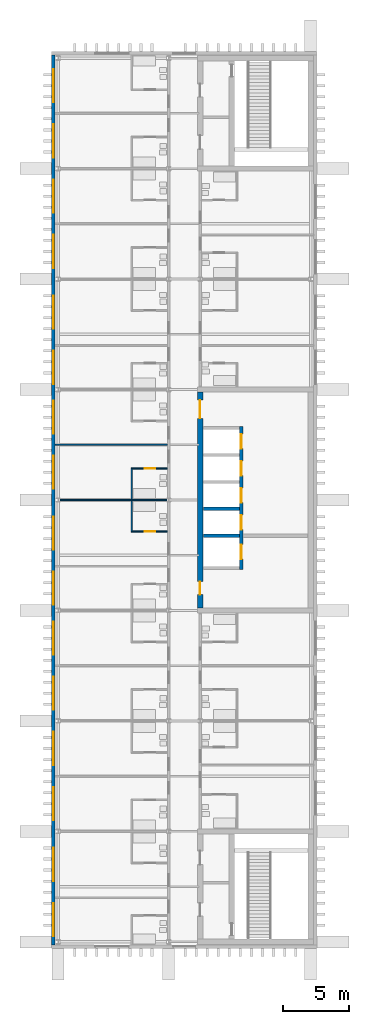
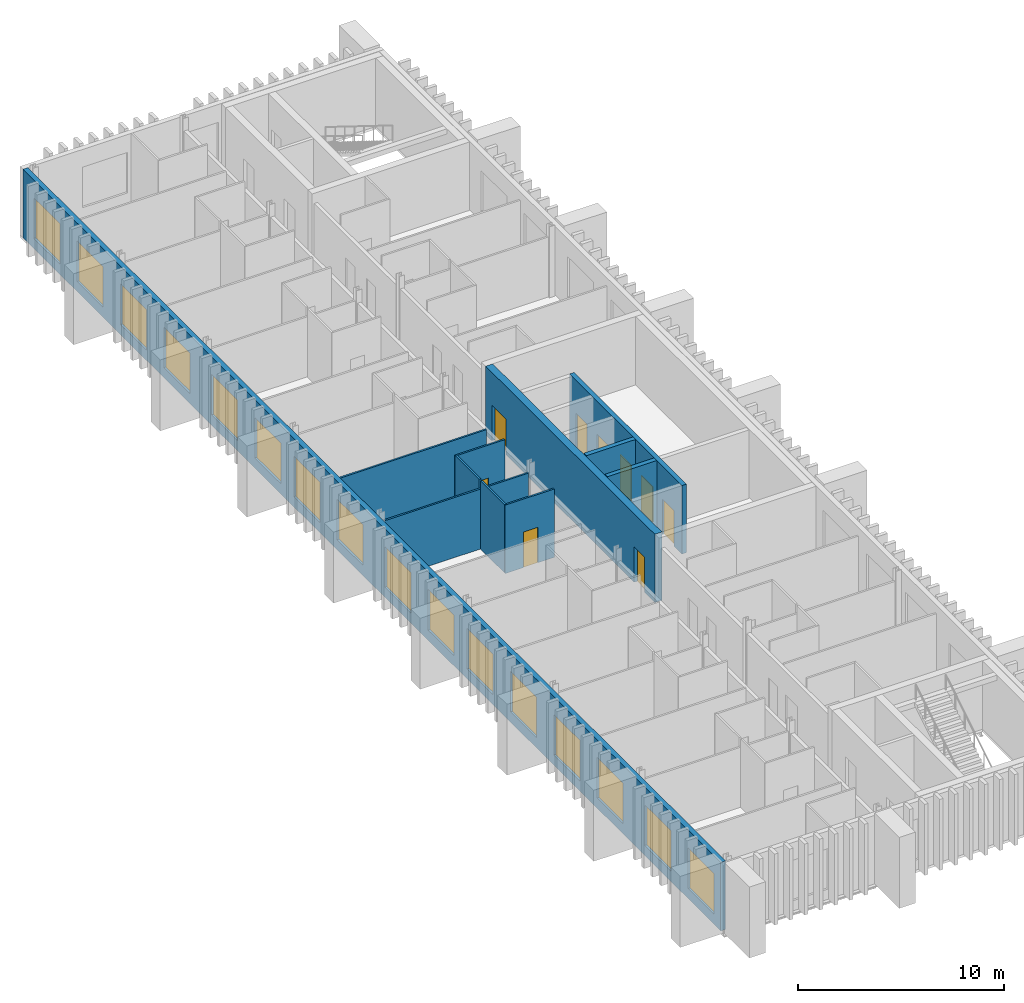
# One storey, part 6 of 11: 16 windows, 11 walls, 9 doors, 25 openings.
"""IFC4 building model written with IfcOpenShell, lengths in metres."""

from ifc_helpers import new_model, si_unit, direction, frame, frame_2d, origin, place, context, subcontext, project, spatial, rectangle, extrude, material, layer, layer_set, type_object, element, fill, save


model = new_model("IFC4")

# Units and contexts
model_context = context("Model", 3, precision=1e-05, world=origin(), true_north=direction((0.0, 1.0)))
body_context = subcontext(model_context, "Body", "Model", "MODEL_VIEW")
ifc_project = project(units=[si_unit("LENGTHUNIT", "METRE"), si_unit("AREAUNIT", "SQUARE_METRE"), si_unit("VOLUMEUNIT", "CUBIC_METRE"), si_unit("PLANEANGLEUNIT", "RADIAN"), si_unit("MASSUNIT", "GRAM", prefix="KILO")], contexts=[model_context])

# Site, building, storey
site_placement = place(None, origin())
site = spatial("IfcSite", under=ifc_project, at=site_placement, CompositionType="ELEMENT")
building_placement = place(site_placement, origin())
building = spatial("IfcBuilding", under=site, at=building_placement, Name="Cresset Court Congress Hotel", CompositionType="ELEMENT")
storey_placement = place(building_placement, frame((0.0, 0.0, 60.60009765625)))
storey = spatial("IfcBuildingStorey", under=building, at=storey_placement, Name="L14", CompositionType="ELEMENT", Elevation=60.60009765625)

# Wall
ifc_material_1 = material(Name="Gypsum board partition")
ifc_layer_1 = layer(ifc_material_1, 0.10009765625)
ifc_layer_set_1 = layer_set([ifc_layer_1], Name="En-suite wall 100")
wall_type_1 = type_object("IfcWallType", Name="En-suite wall 100", PredefinedType="PARTITIONING", material=ifc_layer_set_1)
wall_1_placement = place(storey_placement, frame((162.800048828125, 31.199951171875, 0.0), z_axis=(0.0, 0.0, 1.0), x_axis=(0.0, 1.0, 0.0)))
element("IfcWall", 1, at=wall_1_placement, inside=storey, type_object=wall_type_1, Name="A.wl.L14.015", PredefinedType="PARTITIONING", context=body_context, shape_type="SweptSolid", body=[
    extrude(rectangle(XDim=2.324951171875, YDim=0.10009765625, at=frame_2d((1.16259765625, 0.0))), origin(), (0.0, 0.0, 1.0), 4.0498046875),
])

# Wall, opening, door
wall_2_placement = place(storey_placement, frame((162.75, 31.199951171875, 0.0), z_axis=(0.0, 0.0, 1.0), x_axis=(1.0, 0.0, 0.0)))
wall_2 = element("IfcWall", 2, at=wall_2_placement, inside=storey, type_object=wall_type_1, Name="A.wl.L14.016", PredefinedType="PARTITIONING", context=body_context, shape_type="SweptSolid", body=[
    extrude(rectangle(XDim=2.75, YDim=0.10009765625, at=frame_2d((1.375, 0.0))), origin(), (0.0, 0.0, 1.0), 4.0498046875),
])
opening_1_placement = place(wall_2_placement, frame((1.030029296875, 0.0, 0.0)))
opening_1 = element("IfcOpeningElement", 3, at=opening_1_placement, cuts=wall_2, Name="Opening DA-14-15", PredefinedType="OPENING", context=body_context, shape_type="SweptSolid", body=[
    extrude(rectangle(XDim=0.800048828125, YDim=2.10009765625, at=frame_2d((0.39990234375, 1.050048828125))), frame((0.0, 0.06005859375, 0.0), z_axis=(0.0, -1.0, 0.0), x_axis=(1.0, 0.0, 0.0)), (0.0, 0.0, 1.0), 0.1201171875),
])
ifc_material_2 = material(Name="timber", Category="wood")
door_type_1 = type_object("IfcDoorType", Name="En-suite door 800x2100", OperationType="SINGLE_SWING_LEFT", PredefinedType="DOOR", material=ifc_material_2)
door_1_placement = place(opening_1_placement, origin())
door_1 = element("IfcDoor", 4, at=door_1_placement, inside=storey, type_object=door_type_1, Name="Door DA-14-15", OperationType="SINGLE_SWING_LEFT", OverallHeight=2.10009765625, OverallWidth=0.800048828125, PredefinedType="DOOR", context=body_context, shape_type="SweptSolid", body=[
    extrude(rectangle(XDim=0.800048828125, YDim=2.10009765625, at=frame_2d((0.39990234375, 1.050048828125))), frame((0.0, 0.02490234375, 0.0), z_axis=(0.0, -1.0, 0.0), x_axis=(1.0, 0.0, 0.0)), (0.0, 0.0, 1.0), 0.050048828125),
])
fill(opening_1, door_1)

# Wall
wall_3_placement = place(storey_placement, frame((162.800048828125, 33.675048828125, 0.0), z_axis=(0.0, 0.0, 1.0), x_axis=(0.0, 1.0, 0.0)))
element("IfcWall", 5, at=wall_3_placement, inside=storey, type_object=wall_type_1, Name="A.wl.L14.017", PredefinedType="PARTITIONING", context=body_context, shape_type="SweptSolid", body=[
    extrude(rectangle(XDim=2.324951171875, YDim=0.10009765625, at=frame_2d((1.16259765625, 0.0))), origin(), (0.0, 0.0, 1.0), 4.0498046875),
])

# Wall, opening, door
wall_4_placement = place(storey_placement, frame((162.75, 36.0, 0.0), z_axis=(0.0, 0.0, 1.0), x_axis=(1.0, 0.0, 0.0)))
wall_4 = element("IfcWall", 6, at=wall_4_placement, inside=storey, type_object=wall_type_1, Name="A.wl.L14.018", PredefinedType="PARTITIONING", context=body_context, shape_type="SweptSolid", body=[
    extrude(rectangle(XDim=2.75, YDim=0.10009765625, at=frame_2d((1.375, 0.0))), origin(), (0.0, 0.0, 1.0), 4.0498046875),
])
opening_2_placement = place(wall_4_placement, frame((1.030029296875, 0.0, 0.0)))
opening_2 = element("IfcOpeningElement", 7, at=opening_2_placement, cuts=wall_4, Name="Opening DA-14-17", PredefinedType="OPENING", context=body_context, shape_type="SweptSolid", body=[
    extrude(rectangle(XDim=0.800048828125, YDim=2.10009765625, at=frame_2d((0.39990234375, 1.050048828125))), frame((0.0, 0.06005859375, 0.0), z_axis=(0.0, -1.0, 0.0), x_axis=(1.0, 0.0, 0.0)), (0.0, 0.0, 1.0), 0.1201171875),
])
door_2_placement = place(opening_2_placement, origin())
door_2 = element("IfcDoor", 8, at=door_2_placement, inside=storey, type_object=door_type_1, Name="Door DA-14-17", OperationType="SINGLE_SWING_RIGHT", OverallHeight=2.10009765625, OverallWidth=0.800048828125, PredefinedType="DOOR", context=body_context, shape_type="SweptSolid", body=[
    extrude(rectangle(XDim=0.800048828125, YDim=2.10009765625, at=frame_2d((0.39990234375, 1.050048828125))), frame((0.0, 0.02490234375, 0.0), z_axis=(0.0, -1.0, 0.0), x_axis=(1.0, 0.0, 0.0)), (0.0, 0.0, 1.0), 0.050048828125),
])
fill(opening_2, door_2)

# Wall, openings, windows
ifc_material_3 = material(Name="Precast concrete C50", Category="concrete")
ifc_layer_2 = layer(ifc_material_3, 0.280029296875)
ifc_layer_set_2 = layer_set([ifc_layer_2], Name="External wall 280")
wall_type_2 = type_object("IfcWallType", Name="External wall 280", PredefinedType="SOLIDWALL", material=ifc_layer_set_2)
wall_5_placement = place(storey_placement, frame((156.840087890625, -0.219970703125, 0.0), z_axis=(0.0, 0.0, 1.0), x_axis=(0.0, 1.0, 0.0)))
wall_5 = element("IfcWall", 9, at=wall_5_placement, inside=storey, type_object=wall_type_2, Name="A.ew.L14.W.1", PredefinedType="SOLIDWALL", context=body_context, shape_type="SweptSolid", body=[
    extrude(rectangle(XDim=67.639892578125, YDim=0.280029296875, at=frame_2d((33.81982421875, 0.0))), origin(), (0.0, 0.0, 1.0), 4.0498046875),
])
opening_3_placement = place(wall_5_placement, frame((0.639892578125, 0.0, 0.60009765625)))
opening_3 = element("IfcOpeningElement", 10, at=opening_3_placement, cuts=wall_5, Name="Opening NA-14-01", PredefinedType="OPENING", context=body_context, shape_type="SweptSolid", body=[
    extrude(rectangle(XDim=2.52001953125, YDim=2.39990234375, at=frame_2d((1.260009765625, 1.199951171875))), frame((0.0, 0.14990234375, 0.0), z_axis=(0.0, -1.0, 0.0), x_axis=(1.0, 0.0, 0.0)), (0.0, 0.0, 1.0), 0.300048828125),
])
opening_4_placement = place(wall_5_placement, frame((4.840087890625, 0.0, 0.60009765625)))
opening_4 = element("IfcOpeningElement", 11, at=opening_4_placement, cuts=wall_5, Name="Opening NA-14-02", PredefinedType="OPENING", context=body_context, shape_type="SweptSolid", body=[
    extrude(rectangle(XDim=2.52001953125, YDim=2.39990234375, at=frame_2d((1.260009765625, 1.199951171875))), frame((0.0, 0.14990234375, 0.0), z_axis=(0.0, -1.0, 0.0), x_axis=(1.0, 0.0, 0.0)), (0.0, 0.0, 1.0), 0.300048828125),
])
opening_5_placement = place(wall_5_placement, frame((9.4599609375, 0.0, 0.60009765625)))
opening_5 = element("IfcOpeningElement", 12, at=opening_5_placement, cuts=wall_5, Name="Opening NA-14-03", PredefinedType="OPENING", context=body_context, shape_type="SweptSolid", body=[
    extrude(rectangle(XDim=2.52001953125, YDim=2.39990234375, at=frame_2d((1.260009765625, 1.199951171875))), frame((0.0, 0.14990234375, 0.0), z_axis=(0.0, -1.0, 0.0), x_axis=(1.0, 0.0, 0.0)), (0.0, 0.0, 1.0), 0.300048828125),
])
opening_6_placement = place(wall_5_placement, frame((13.659912109375, 0.0, 0.60009765625)))
opening_6 = element("IfcOpeningElement", 13, at=opening_6_placement, cuts=wall_5, Name="Opening NA-14-04", PredefinedType="OPENING", context=body_context, shape_type="SweptSolid", body=[
    extrude(rectangle(XDim=2.52001953125, YDim=2.39990234375, at=frame_2d((1.260009765625, 1.199951171875))), frame((0.0, 0.14990234375, 0.0), z_axis=(0.0, -1.0, 0.0), x_axis=(1.0, 0.0, 0.0)), (0.0, 0.0, 1.0), 0.300048828125),
])
opening_7_placement = place(wall_5_placement, frame((17.860107421875, 0.0, 0.60009765625)))
opening_7 = element("IfcOpeningElement", 14, at=opening_7_placement, cuts=wall_5, Name="Opening NA-14-05", PredefinedType="OPENING", context=body_context, shape_type="SweptSolid", body=[
    extrude(rectangle(XDim=2.52001953125, YDim=2.39990234375, at=frame_2d((1.260009765625, 1.199951171875))), frame((0.0, 0.14990234375, 0.0), z_axis=(0.0, -1.0, 0.0), x_axis=(1.0, 0.0, 0.0)), (0.0, 0.0, 1.0), 0.300048828125),
])
opening_8_placement = place(wall_5_placement, frame((22.06005859375, 0.0, 0.60009765625)))
opening_8 = element("IfcOpeningElement", 15, at=opening_8_placement, cuts=wall_5, Name="Opening NA-14-06", PredefinedType="OPENING", context=body_context, shape_type="SweptSolid", body=[
    extrude(rectangle(XDim=2.52001953125, YDim=2.39990234375, at=frame_2d((1.260009765625, 1.199951171875))), frame((0.0, 0.14990234375, 0.0), z_axis=(0.0, -1.0, 0.0), x_axis=(1.0, 0.0, 0.0)), (0.0, 0.0, 1.0), 0.300048828125),
])
opening_9_placement = place(wall_5_placement, frame((25.840087890625, 0.0, 0.60009765625)))
opening_9 = element("IfcOpeningElement", 16, at=opening_9_placement, cuts=wall_5, Name="Opening NA-14-07", PredefinedType="OPENING", context=body_context, shape_type="SweptSolid", body=[
    extrude(rectangle(XDim=2.52001953125, YDim=2.39990234375, at=frame_2d((1.260009765625, 1.199951171875))), frame((0.0, 0.14990234375, 0.0), z_axis=(0.0, -1.0, 0.0), x_axis=(1.0, 0.0, 0.0)), (0.0, 0.0, 1.0), 0.300048828125),
])
opening_10_placement = place(wall_5_placement, frame((30.0400390625, 0.0, 0.60009765625)))
opening_10 = element("IfcOpeningElement", 17, at=opening_10_placement, cuts=wall_5, Name="Opening NA-14-08", PredefinedType="OPENING", context=body_context, shape_type="SweptSolid", body=[
    extrude(rectangle(XDim=2.52001953125, YDim=2.39990234375, at=frame_2d((1.260009765625, 1.199951171875))), frame((0.0, 0.14990234375, 0.0), z_axis=(0.0, -1.0, 0.0), x_axis=(1.0, 0.0, 0.0)), (0.0, 0.0, 1.0), 0.300048828125),
])
opening_11_placement = place(wall_5_placement, frame((34.659912109375, 0.0, 0.60009765625)))
opening_11 = element("IfcOpeningElement", 18, at=opening_11_placement, cuts=wall_5, Name="Opening NA-14-09", PredefinedType="OPENING", context=body_context, shape_type="SweptSolid", body=[
    extrude(rectangle(XDim=2.52001953125, YDim=2.39990234375, at=frame_2d((1.260009765625, 1.199951171875))), frame((0.0, 0.14990234375, 0.0), z_axis=(0.0, -1.0, 0.0), x_axis=(1.0, 0.0, 0.0)), (0.0, 0.0, 1.0), 0.300048828125),
])
opening_12_placement = place(wall_5_placement, frame((38.860107421875, 0.0, 0.60009765625)))
opening_12 = element("IfcOpeningElement", 19, at=opening_12_placement, cuts=wall_5, Name="Opening NA-14-10", PredefinedType="OPENING", context=body_context, shape_type="SweptSolid", body=[
    extrude(rectangle(XDim=2.52001953125, YDim=2.39990234375, at=frame_2d((1.260009765625, 1.199951171875))), frame((0.0, 0.14990234375, 0.0), z_axis=(0.0, -1.0, 0.0), x_axis=(1.0, 0.0, 0.0)), (0.0, 0.0, 1.0), 0.300048828125),
])
opening_13_placement = place(wall_5_placement, frame((42.639892578125, 0.0, 0.60009765625)))
opening_13 = element("IfcOpeningElement", 20, at=opening_13_placement, cuts=wall_5, Name="Opening NA-14-11", PredefinedType="OPENING", context=body_context, shape_type="SweptSolid", body=[
    extrude(rectangle(XDim=2.52001953125, YDim=2.39990234375, at=frame_2d((1.260009765625, 1.199951171875))), frame((0.0, 0.14990234375, 0.0), z_axis=(0.0, -1.0, 0.0), x_axis=(1.0, 0.0, 0.0)), (0.0, 0.0, 1.0), 0.300048828125),
])
opening_14_placement = place(wall_5_placement, frame((46.840087890625, 0.0, 0.60009765625)))
opening_14 = element("IfcOpeningElement", 21, at=opening_14_placement, cuts=wall_5, Name="Opening NA-14-12", PredefinedType="OPENING", context=body_context, shape_type="SweptSolid", body=[
    extrude(rectangle(XDim=2.52001953125, YDim=2.39990234375, at=frame_2d((1.260009765625, 1.199951171875))), frame((0.0, 0.14990234375, 0.0), z_axis=(0.0, -1.0, 0.0), x_axis=(1.0, 0.0, 0.0)), (0.0, 0.0, 1.0), 0.300048828125),
])
opening_15_placement = place(wall_5_placement, frame((51.4599609375, 0.0, 0.60009765625)))
opening_15 = element("IfcOpeningElement", 22, at=opening_15_placement, cuts=wall_5, Name="Opening NA-14-13", PredefinedType="OPENING", context=body_context, shape_type="SweptSolid", body=[
    extrude(rectangle(XDim=2.52001953125, YDim=2.39990234375, at=frame_2d((1.260009765625, 1.199951171875))), frame((0.0, 0.14990234375, 0.0), z_axis=(0.0, -1.0, 0.0), x_axis=(1.0, 0.0, 0.0)), (0.0, 0.0, 1.0), 0.300048828125),
])
opening_16_placement = place(wall_5_placement, frame((55.659912109375, 0.0, 0.60009765625)))
opening_16 = element("IfcOpeningElement", 23, at=opening_16_placement, cuts=wall_5, Name="Opening NA-14-14", PredefinedType="OPENING", context=body_context, shape_type="SweptSolid", body=[
    extrude(rectangle(XDim=2.52001953125, YDim=2.39990234375, at=frame_2d((1.260009765625, 1.199951171875))), frame((0.0, 0.14990234375, 0.0), z_axis=(0.0, -1.0, 0.0), x_axis=(1.0, 0.0, 0.0)), (0.0, 0.0, 1.0), 0.300048828125),
])
opening_17_placement = place(wall_5_placement, frame((59.860107421875, 0.0, 0.60009765625)))
opening_17 = element("IfcOpeningElement", 24, at=opening_17_placement, cuts=wall_5, Name="Opening NA-14-15", PredefinedType="OPENING", context=body_context, shape_type="SweptSolid", body=[
    extrude(rectangle(XDim=2.52001953125, YDim=2.39990234375, at=frame_2d((1.260009765625, 1.199951171875))), frame((0.0, 0.14990234375, 0.0), z_axis=(0.0, -1.0, 0.0), x_axis=(1.0, 0.0, 0.0)), (0.0, 0.0, 1.0), 0.300048828125),
])
opening_18_placement = place(wall_5_placement, frame((64.06005859375, 0.0, 0.60009765625)))
opening_18 = element("IfcOpeningElement", 25, at=opening_18_placement, cuts=wall_5, Name="Opening NA-14-16", PredefinedType="OPENING", context=body_context, shape_type="SweptSolid", body=[
    extrude(rectangle(XDim=2.52001953125, YDim=2.39990234375, at=frame_2d((1.260009765625, 1.199951171875))), frame((0.0, 0.14990234375, 0.0), z_axis=(0.0, -1.0, 0.0), x_axis=(1.0, 0.0, 0.0)), (0.0, 0.0, 1.0), 0.300048828125),
])
ifc_material_4 = material(Name="Aluminium and glass", Category="aluminium")
window_type = type_object("IfcWindowType", Name="Window 2520x2400", PartitioningType="SINGLE_PANEL", PredefinedType="WINDOW", material=ifc_material_4)
window_1_placement = place(opening_3_placement, origin())
window_1 = element("IfcWindow", 26, at=window_1_placement, inside=storey, type_object=window_type, Name="Window NA-14-01", OverallHeight=2.39990234375, OverallWidth=2.52001953125, PartitioningType="SINGLE_PANEL", PredefinedType="WINDOW", context=body_context, shape_type="SweptSolid", body=[
    extrude(rectangle(XDim=2.52001953125, YDim=2.39990234375, at=frame_2d((1.260009765625, 1.199951171875))), frame((0.0, 0.030029296875, 0.0), z_axis=(0.0, -1.0, 0.0), x_axis=(1.0, 0.0, 0.0)), (0.0, 0.0, 1.0), 0.06005859375),
])
fill(opening_3, window_1)
window_2_placement = place(opening_4_placement, origin())
window_2 = element("IfcWindow", 27, at=window_2_placement, inside=storey, type_object=window_type, Name="Window NA-14-02", OverallHeight=2.39990234375, OverallWidth=2.52001953125, PartitioningType="SINGLE_PANEL", PredefinedType="WINDOW", context=body_context, shape_type="SweptSolid", body=[
    extrude(rectangle(XDim=2.52001953125, YDim=2.39990234375, at=frame_2d((1.260009765625, 1.199951171875))), frame((0.0, 0.030029296875, 0.0), z_axis=(0.0, -1.0, 0.0), x_axis=(1.0, 0.0, 0.0)), (0.0, 0.0, 1.0), 0.06005859375),
])
fill(opening_4, window_2)
window_3_placement = place(opening_5_placement, origin())
window_3 = element("IfcWindow", 28, at=window_3_placement, inside=storey, type_object=window_type, Name="Window NA-14-03", OverallHeight=2.39990234375, OverallWidth=2.52001953125, PartitioningType="SINGLE_PANEL", PredefinedType="WINDOW", context=body_context, shape_type="SweptSolid", body=[
    extrude(rectangle(XDim=2.52001953125, YDim=2.39990234375, at=frame_2d((1.260009765625, 1.199951171875))), frame((0.0, 0.030029296875, 0.0), z_axis=(0.0, -1.0, 0.0), x_axis=(1.0, 0.0, 0.0)), (0.0, 0.0, 1.0), 0.06005859375),
])
fill(opening_5, window_3)
window_4_placement = place(opening_6_placement, origin())
window_4 = element("IfcWindow", 29, at=window_4_placement, inside=storey, type_object=window_type, Name="Window NA-14-04", OverallHeight=2.39990234375, OverallWidth=2.52001953125, PartitioningType="SINGLE_PANEL", PredefinedType="WINDOW", context=body_context, shape_type="SweptSolid", body=[
    extrude(rectangle(XDim=2.52001953125, YDim=2.39990234375, at=frame_2d((1.260009765625, 1.199951171875))), frame((0.0, 0.030029296875, 0.0), z_axis=(0.0, -1.0, 0.0), x_axis=(1.0, 0.0, 0.0)), (0.0, 0.0, 1.0), 0.06005859375),
])
fill(opening_6, window_4)
window_5_placement = place(opening_7_placement, origin())
window_5 = element("IfcWindow", 30, at=window_5_placement, inside=storey, type_object=window_type, Name="Window NA-14-05", OverallHeight=2.39990234375, OverallWidth=2.52001953125, PartitioningType="SINGLE_PANEL", PredefinedType="WINDOW", context=body_context, shape_type="SweptSolid", body=[
    extrude(rectangle(XDim=2.52001953125, YDim=2.39990234375, at=frame_2d((1.260009765625, 1.199951171875))), frame((0.0, 0.030029296875, 0.0), z_axis=(0.0, -1.0, 0.0), x_axis=(1.0, 0.0, 0.0)), (0.0, 0.0, 1.0), 0.06005859375),
])
fill(opening_7, window_5)
window_6_placement = place(opening_8_placement, origin())
window_6 = element("IfcWindow", 31, at=window_6_placement, inside=storey, type_object=window_type, Name="Window NA-14-06", OverallHeight=2.39990234375, OverallWidth=2.52001953125, PartitioningType="SINGLE_PANEL", PredefinedType="WINDOW", context=body_context, shape_type="SweptSolid", body=[
    extrude(rectangle(XDim=2.52001953125, YDim=2.39990234375, at=frame_2d((1.260009765625, 1.199951171875))), frame((0.0, 0.030029296875, 0.0), z_axis=(0.0, -1.0, 0.0), x_axis=(1.0, 0.0, 0.0)), (0.0, 0.0, 1.0), 0.06005859375),
])
fill(opening_8, window_6)
window_7_placement = place(opening_9_placement, origin())
window_7 = element("IfcWindow", 32, at=window_7_placement, inside=storey, type_object=window_type, Name="Window NA-14-07", OverallHeight=2.39990234375, OverallWidth=2.52001953125, PartitioningType="SINGLE_PANEL", PredefinedType="WINDOW", context=body_context, shape_type="SweptSolid", body=[
    extrude(rectangle(XDim=2.52001953125, YDim=2.39990234375, at=frame_2d((1.260009765625, 1.199951171875))), frame((0.0, 0.030029296875, 0.0), z_axis=(0.0, -1.0, 0.0), x_axis=(1.0, 0.0, 0.0)), (0.0, 0.0, 1.0), 0.06005859375),
])
fill(opening_9, window_7)
window_8_placement = place(opening_10_placement, origin())
window_8 = element("IfcWindow", 33, at=window_8_placement, inside=storey, type_object=window_type, Name="Window NA-14-08", OverallHeight=2.39990234375, OverallWidth=2.52001953125, PartitioningType="SINGLE_PANEL", PredefinedType="WINDOW", context=body_context, shape_type="SweptSolid", body=[
    extrude(rectangle(XDim=2.52001953125, YDim=2.39990234375, at=frame_2d((1.260009765625, 1.199951171875))), frame((0.0, 0.030029296875, 0.0), z_axis=(0.0, -1.0, 0.0), x_axis=(1.0, 0.0, 0.0)), (0.0, 0.0, 1.0), 0.06005859375),
])
fill(opening_10, window_8)
window_9_placement = place(opening_11_placement, origin())
window_9 = element("IfcWindow", 34, at=window_9_placement, inside=storey, type_object=window_type, Name="Window NA-14-09", OverallHeight=2.39990234375, OverallWidth=2.52001953125, PartitioningType="SINGLE_PANEL", PredefinedType="WINDOW", context=body_context, shape_type="SweptSolid", body=[
    extrude(rectangle(XDim=2.52001953125, YDim=2.39990234375, at=frame_2d((1.260009765625, 1.199951171875))), frame((0.0, 0.030029296875, 0.0), z_axis=(0.0, -1.0, 0.0), x_axis=(1.0, 0.0, 0.0)), (0.0, 0.0, 1.0), 0.06005859375),
])
fill(opening_11, window_9)
window_10_placement = place(opening_12_placement, origin())
window_10 = element("IfcWindow", 35, at=window_10_placement, inside=storey, type_object=window_type, Name="Window NA-14-10", OverallHeight=2.39990234375, OverallWidth=2.52001953125, PartitioningType="SINGLE_PANEL", PredefinedType="WINDOW", context=body_context, shape_type="SweptSolid", body=[
    extrude(rectangle(XDim=2.52001953125, YDim=2.39990234375, at=frame_2d((1.260009765625, 1.199951171875))), frame((0.0, 0.030029296875, 0.0), z_axis=(0.0, -1.0, 0.0), x_axis=(1.0, 0.0, 0.0)), (0.0, 0.0, 1.0), 0.06005859375),
])
fill(opening_12, window_10)
window_11_placement = place(opening_13_placement, origin())
window_11 = element("IfcWindow", 36, at=window_11_placement, inside=storey, type_object=window_type, Name="Window NA-14-11", OverallHeight=2.39990234375, OverallWidth=2.52001953125, PartitioningType="SINGLE_PANEL", PredefinedType="WINDOW", context=body_context, shape_type="SweptSolid", body=[
    extrude(rectangle(XDim=2.52001953125, YDim=2.39990234375, at=frame_2d((1.260009765625, 1.199951171875))), frame((0.0, 0.030029296875, 0.0), z_axis=(0.0, -1.0, 0.0), x_axis=(1.0, 0.0, 0.0)), (0.0, 0.0, 1.0), 0.06005859375),
])
fill(opening_13, window_11)
window_12_placement = place(opening_14_placement, origin())
window_12 = element("IfcWindow", 37, at=window_12_placement, inside=storey, type_object=window_type, Name="Window NA-14-12", OverallHeight=2.39990234375, OverallWidth=2.52001953125, PartitioningType="SINGLE_PANEL", PredefinedType="WINDOW", context=body_context, shape_type="SweptSolid", body=[
    extrude(rectangle(XDim=2.52001953125, YDim=2.39990234375, at=frame_2d((1.260009765625, 1.199951171875))), frame((0.0, 0.030029296875, 0.0), z_axis=(0.0, -1.0, 0.0), x_axis=(1.0, 0.0, 0.0)), (0.0, 0.0, 1.0), 0.06005859375),
])
fill(opening_14, window_12)
window_13_placement = place(opening_15_placement, origin())
window_13 = element("IfcWindow", 38, at=window_13_placement, inside=storey, type_object=window_type, Name="Window NA-14-13", OverallHeight=2.39990234375, OverallWidth=2.52001953125, PartitioningType="SINGLE_PANEL", PredefinedType="WINDOW", context=body_context, shape_type="SweptSolid", body=[
    extrude(rectangle(XDim=2.52001953125, YDim=2.39990234375, at=frame_2d((1.260009765625, 1.199951171875))), frame((0.0, 0.030029296875, 0.0), z_axis=(0.0, -1.0, 0.0), x_axis=(1.0, 0.0, 0.0)), (0.0, 0.0, 1.0), 0.06005859375),
])
fill(opening_15, window_13)
window_14_placement = place(opening_16_placement, origin())
window_14 = element("IfcWindow", 39, at=window_14_placement, inside=storey, type_object=window_type, Name="Window NA-14-14", OverallHeight=2.39990234375, OverallWidth=2.52001953125, PartitioningType="SINGLE_PANEL", PredefinedType="WINDOW", context=body_context, shape_type="SweptSolid", body=[
    extrude(rectangle(XDim=2.52001953125, YDim=2.39990234375, at=frame_2d((1.260009765625, 1.199951171875))), frame((0.0, 0.030029296875, 0.0), z_axis=(0.0, -1.0, 0.0), x_axis=(1.0, 0.0, 0.0)), (0.0, 0.0, 1.0), 0.06005859375),
])
fill(opening_16, window_14)
window_15_placement = place(opening_17_placement, origin())
window_15 = element("IfcWindow", 40, at=window_15_placement, inside=storey, type_object=window_type, Name="Window NA-14-15", OverallHeight=2.39990234375, OverallWidth=2.52001953125, PartitioningType="SINGLE_PANEL", PredefinedType="WINDOW", context=body_context, shape_type="SweptSolid", body=[
    extrude(rectangle(XDim=2.52001953125, YDim=2.39990234375, at=frame_2d((1.260009765625, 1.199951171875))), frame((0.0, 0.030029296875, 0.0), z_axis=(0.0, -1.0, 0.0), x_axis=(1.0, 0.0, 0.0)), (0.0, 0.0, 1.0), 0.06005859375),
])
fill(opening_17, window_15)
window_16_placement = place(opening_18_placement, origin())
window_16 = element("IfcWindow", 41, at=window_16_placement, inside=storey, type_object=window_type, Name="Window NA-14-16", OverallHeight=2.39990234375, OverallWidth=2.52001953125, PartitioningType="SINGLE_PANEL", PredefinedType="WINDOW", context=body_context, shape_type="SweptSolid", body=[
    extrude(rectangle(XDim=2.52001953125, YDim=2.39990234375, at=frame_2d((1.260009765625, 1.199951171875))), frame((0.0, 0.030029296875, 0.0), z_axis=(0.0, -1.0, 0.0), x_axis=(1.0, 0.0, 0.0)), (0.0, 0.0, 1.0), 0.06005859375),
])
fill(opening_18, window_16)

# Walls
ifc_material_5 = material(Name="Gypsum board partition")
ifc_layer_3 = layer(ifc_material_5, 0.10009765625)
ifc_layer_set_3 = layer_set([ifc_layer_3], Name="Guest-room partition 100")
wall_type_3 = type_object("IfcWallType", Name="Guest-room partition 100", PredefinedType="PARTITIONING", material=ifc_layer_set_3)
wall_6_placement = place(storey_placement, frame((157.35009765625, 33.60009765625, 0.0), z_axis=(0.0, 0.0, 1.0), x_axis=(1.0, 0.0, 0.0)))
element("IfcWall", 42, at=wall_6_placement, inside=storey, type_object=wall_type_3, Name="A.wl.L14.052", PredefinedType="PARTITIONING", context=body_context, shape_type="SweptSolid", body=[
    extrude(rectangle(XDim=8.099853515625, YDim=0.10009765625, at=frame_2d((4.0498046875, 0.0))), origin(), (0.0, 0.0, 1.0), 3.5498046875),
])
wall_7_placement = place(storey_placement, frame((156.97998046875, 37.800048828125, 0.0), z_axis=(0.0, 0.0, 1.0), x_axis=(1.0, 0.0, 0.0)))
element("IfcWall", 43, at=wall_7_placement, inside=storey, type_object=wall_type_3, Name="A.wl.L14.062", PredefinedType="PARTITIONING", context=body_context, shape_type="SweptSolid", body=[
    extrude(rectangle(XDim=8.52001953125, YDim=0.10009765625, at=frame_2d((4.260009765625, 0.0))), origin(), (0.0, 0.0, 1.0), 3.5498046875),
])

# Wall, openings, doors
ifc_material_6 = material(Name="Concrete C50", Category="concrete")
ifc_layer_4 = layer(ifc_material_6, 0.39990234375)
ifc_layer_set_4 = layer_set([ifc_layer_4], Name="Lift core wall 400")
wall_type_4 = type_object("IfcWallType", Name="Lift core wall 400", PredefinedType="SOLIDWALL", material=ifc_layer_set_4)
wall_8_placement = place(storey_placement, frame((168.0, 25.39990234375, 0.0), z_axis=(0.0, 0.0, 1.0), x_axis=(0.0, 1.0, 0.0)))
wall_8 = element("IfcWall", 44, at=wall_8_placement, inside=storey, type_object=wall_type_4, Name="A.cw.LC-A.L14.W", PredefinedType="SOLIDWALL", context=body_context, shape_type="SweptSolid", body=[
    extrude(rectangle(XDim=16.400146484375, YDim=0.39990234375, at=frame_2d((8.2001953125, 0.0))), origin(), (0.0, 0.0, 1.0), 4.0498046875),
])
opening_19_placement = place(wall_8_placement, frame((1.0, 0.0, 0.0)))
opening_19 = element("IfcOpeningElement", 45, at=opening_19_placement, cuts=wall_8, Name="Opening DA-14-60", PredefinedType="OPENING", context=body_context, shape_type="SweptSolid", body=[
    extrude(rectangle(XDim=1.0, YDim=2.10009765625, at=frame_2d((0.5, 1.050048828125))), frame((0.0, 0.2099609375, 0.0), z_axis=(0.0, -1.0, 0.0), x_axis=(1.0, 0.0, 0.0)), (0.0, 0.0, 1.0), 0.419921875),
])
opening_20_placement = place(wall_8_placement, frame((14.39990234375, 0.0, 0.0)))
opening_20 = element("IfcOpeningElement", 46, at=opening_20_placement, cuts=wall_8, Name="Opening DA-14-61", PredefinedType="OPENING", context=body_context, shape_type="SweptSolid", body=[
    extrude(rectangle(XDim=1.39990234375, YDim=2.10009765625, at=frame_2d((0.699951171875, 1.050048828125))), frame((0.0, 0.2099609375, 0.0), z_axis=(0.0, -1.0, 0.0), x_axis=(1.0, 0.0, 0.0)), (0.0, 0.0, 1.0), 0.419921875),
])
ifc_material_7 = material(Name="steel", Category="steel")
door_type_2 = type_object("IfcDoorType", Name="Lobby door 1000x2100 FD60", OperationType="SINGLE_SWING_LEFT", PredefinedType="DOOR", material=ifc_material_7)
door_3_placement = place(opening_19_placement, origin())
door_3 = element("IfcDoor", 47, at=door_3_placement, inside=storey, type_object=door_type_2, Name="Door DA-14-60", OperationType="SINGLE_SWING_RIGHT", OverallHeight=2.10009765625, OverallWidth=1.0, PredefinedType="DOOR", context=body_context, shape_type="SweptSolid", body=[
    extrude(rectangle(XDim=1.0, YDim=2.10009765625, at=frame_2d((0.5, 1.050048828125))), frame((0.0, 0.02490234375, 0.0), z_axis=(0.0, -1.0, 0.0), x_axis=(1.0, 0.0, 0.0)), (0.0, 0.0, 1.0), 0.050048828125),
])
fill(opening_19, door_3)
ifc_material_8 = material(Name="steel", Category="steel")
door_type_3 = type_object("IfcDoorType", Name="Lobby door 1400x2100 FD60", OperationType="DOUBLE_DOOR_DOUBLE_SWING", PredefinedType="DOOR", material=ifc_material_8)
door_4_placement = place(opening_20_placement, origin())
door_4 = element("IfcDoor", 48, at=door_4_placement, inside=storey, type_object=door_type_3, Name="Door DA-14-61", OperationType="DOUBLE_DOOR_DOUBLE_SWING", OverallHeight=2.10009765625, OverallWidth=1.39990234375, PredefinedType="DOOR", context=body_context, shape_type="SweptSolid", body=[
    extrude(rectangle(XDim=1.39990234375, YDim=2.10009765625, at=frame_2d((0.699951171875, 1.050048828125))), frame((0.0, 0.02490234375, 0.0), z_axis=(0.0, -1.0, 0.0), x_axis=(1.0, 0.0, 0.0)), (0.0, 0.0, 1.0), 0.050048828125),
])
fill(opening_20, door_4)

ifc_material_9 = material(Name="Concrete C50", Category="concrete")
ifc_layer_5 = layer(ifc_material_9, 0.25)
ifc_layer_set_5 = layer_set([ifc_layer_5], Name="Lift shaft wall 250")
wall_type_5 = type_object("IfcWallType", Name="Lift shaft wall 250", PredefinedType="SOLIDWALL", material=ifc_layer_set_5)
wall_9_placement = place(storey_placement, frame((171.125, 28.300048828125, 0.0), z_axis=(0.0, 0.0, 1.0), x_axis=(0.0, 1.0, 0.0)))
wall_9 = element("IfcWall", 49, at=wall_9_placement, inside=storey, type_object=wall_type_5, Name="A.wl.L14.086", PredefinedType="SOLIDWALL", context=body_context, shape_type="SweptSolid", body=[
    extrude(rectangle(XDim=10.89990234375, YDim=0.25, at=frame_2d((5.449951171875, 0.0))), origin(), (0.0, 0.0, 1.0), 4.0498046875),
])
opening_21_placement = place(wall_9_placement, frame((0.800048828125, 0.0, 0.0)))
opening_21 = element("IfcOpeningElement", 50, at=opening_21_placement, cuts=wall_9, Name="Opening LD-A1-14", PredefinedType="OPENING", context=body_context, shape_type="SweptSolid", body=[
    extrude(rectangle(XDim=1.10009765625, YDim=2.10009765625, at=frame_2d((0.550048828125, 1.050048828125))), frame((0.0, 0.135009765625, 0.0), z_axis=(0.0, -1.0, 0.0), x_axis=(1.0, 0.0, 0.0)), (0.0, 0.0, 1.0), 0.27001953125),
])
opening_22_placement = place(wall_9_placement, frame((3.050048828125, 0.0, 0.0)))
opening_22 = element("IfcOpeningElement", 51, at=opening_22_placement, cuts=wall_9, Name="Opening LD-A2-14", PredefinedType="OPENING", context=body_context, shape_type="SweptSolid", body=[
    extrude(rectangle(XDim=1.10009765625, YDim=2.10009765625, at=frame_2d((0.550048828125, 1.050048828125))), frame((0.0, 0.135009765625, 0.0), z_axis=(0.0, -1.0, 0.0), x_axis=(1.0, 0.0, 0.0)), (0.0, 0.0, 1.0), 0.27001953125),
])
opening_23_placement = place(wall_9_placement, frame((5.10009765625, 0.0, 0.0)))
opening_23 = element("IfcOpeningElement", 52, at=opening_23_placement, cuts=wall_9, Name="Opening LD-A3-14", PredefinedType="OPENING", context=body_context, shape_type="SweptSolid", body=[
    extrude(rectangle(XDim=1.10009765625, YDim=2.10009765625, at=frame_2d((0.550048828125, 1.050048828125))), frame((0.0, 0.135009765625, 0.0), z_axis=(0.0, -1.0, 0.0), x_axis=(1.0, 0.0, 0.0)), (0.0, 0.0, 1.0), 0.27001953125),
])
opening_24_placement = place(wall_9_placement, frame((7.14990234375, 0.0, 0.0)))
opening_24 = element("IfcOpeningElement", 53, at=opening_24_placement, cuts=wall_9, Name="Opening LD-A4-14", PredefinedType="OPENING", context=body_context, shape_type="SweptSolid", body=[
    extrude(rectangle(XDim=1.10009765625, YDim=2.10009765625, at=frame_2d((0.550048828125, 1.050048828125))), frame((0.0, 0.135009765625, 0.0), z_axis=(0.0, -1.0, 0.0), x_axis=(1.0, 0.0, 0.0)), (0.0, 0.0, 1.0), 0.27001953125),
])
opening_25_placement = place(wall_9_placement, frame((9.199951171875, 0.0, 0.0)))
opening_25 = element("IfcOpeningElement", 54, at=opening_25_placement, cuts=wall_9, Name="Opening LD-A5-14", PredefinedType="OPENING", context=body_context, shape_type="SweptSolid", body=[
    extrude(rectangle(XDim=1.10009765625, YDim=2.10009765625, at=frame_2d((0.550048828125, 1.050048828125))), frame((0.0, 0.135009765625, 0.0), z_axis=(0.0, -1.0, 0.0), x_axis=(1.0, 0.0, 0.0)), (0.0, 0.0, 1.0), 0.27001953125),
])
ifc_material_10 = material(Name="stainless steel", Category="steel")
door_type_4 = type_object("IfcDoorType", Name="Lift landing door 1100x2100 E 60", OperationType="SLIDING_TO_LEFT", PredefinedType="DOOR", material=ifc_material_10)
door_5_placement = place(opening_21_placement, origin())
door_5 = element("IfcDoor", 55, at=door_5_placement, inside=storey, type_object=door_type_4, Name="Lift landing door LD-A1-14", OperationType="SLIDING_TO_LEFT", OverallHeight=2.10009765625, OverallWidth=1.10009765625, PredefinedType="DOOR", context=body_context, shape_type="SweptSolid", body=[
    extrude(rectangle(XDim=1.10009765625, YDim=2.10009765625, at=frame_2d((0.550048828125, 1.050048828125))), frame((0.0, 0.02490234375, 0.0), z_axis=(0.0, -1.0, 0.0), x_axis=(1.0, 0.0, 0.0)), (0.0, 0.0, 1.0), 0.050048828125),
])
fill(opening_21, door_5)
door_6_placement = place(opening_22_placement, origin())
door_6 = element("IfcDoor", 56, at=door_6_placement, inside=storey, type_object=door_type_4, Name="Lift landing door LD-A2-14", OperationType="SLIDING_TO_LEFT", OverallHeight=2.10009765625, OverallWidth=1.10009765625, PredefinedType="DOOR", context=body_context, shape_type="SweptSolid", body=[
    extrude(rectangle(XDim=1.10009765625, YDim=2.10009765625, at=frame_2d((0.550048828125, 1.050048828125))), frame((0.0, 0.02490234375, 0.0), z_axis=(0.0, -1.0, 0.0), x_axis=(1.0, 0.0, 0.0)), (0.0, 0.0, 1.0), 0.050048828125),
])
fill(opening_22, door_6)
door_7_placement = place(opening_23_placement, origin())
door_7 = element("IfcDoor", 57, at=door_7_placement, inside=storey, type_object=door_type_4, Name="Lift landing door LD-A3-14", OperationType="SLIDING_TO_LEFT", OverallHeight=2.10009765625, OverallWidth=1.10009765625, PredefinedType="DOOR", context=body_context, shape_type="SweptSolid", body=[
    extrude(rectangle(XDim=1.10009765625, YDim=2.10009765625, at=frame_2d((0.550048828125, 1.050048828125))), frame((0.0, 0.02490234375, 0.0), z_axis=(0.0, -1.0, 0.0), x_axis=(1.0, 0.0, 0.0)), (0.0, 0.0, 1.0), 0.050048828125),
])
fill(opening_23, door_7)
door_8_placement = place(opening_24_placement, origin())
door_8 = element("IfcDoor", 58, at=door_8_placement, inside=storey, type_object=door_type_4, Name="Lift landing door LD-A4-14", OperationType="SLIDING_TO_LEFT", OverallHeight=2.10009765625, OverallWidth=1.10009765625, PredefinedType="DOOR", context=body_context, shape_type="SweptSolid", body=[
    extrude(rectangle(XDim=1.10009765625, YDim=2.10009765625, at=frame_2d((0.550048828125, 1.050048828125))), frame((0.0, 0.02490234375, 0.0), z_axis=(0.0, -1.0, 0.0), x_axis=(1.0, 0.0, 0.0)), (0.0, 0.0, 1.0), 0.050048828125),
])
fill(opening_24, door_8)
door_9_placement = place(opening_25_placement, origin())
door_9 = element("IfcDoor", 59, at=door_9_placement, inside=storey, type_object=door_type_4, Name="Lift landing door LD-A5-14", OperationType="SLIDING_TO_LEFT", OverallHeight=2.10009765625, OverallWidth=1.10009765625, PredefinedType="DOOR", context=body_context, shape_type="SweptSolid", body=[
    extrude(rectangle(XDim=1.10009765625, YDim=2.10009765625, at=frame_2d((0.550048828125, 1.050048828125))), frame((0.0, 0.02490234375, 0.0), z_axis=(0.0, -1.0, 0.0), x_axis=(1.0, 0.0, 0.0)), (0.0, 0.0, 1.0), 0.050048828125),
])
fill(opening_25, door_9)

# Walls
for number, where, z_axis, x_axis, name in (
    (60, (168.25, 30.875, 0.0), (0.0, 0.0, 1.0), (1.0, 0.0, 0.0), "A.wl.L14.088"),
    (61, (168.25, 32.925048828125, 0.0), (0.0, 0.0, 1.0), (1.0, 0.0, 0.0), "A.wl.L14.089"),
):
    element("IfcWall", number, at=place(storey_placement, frame(where, z_axis=z_axis, x_axis=x_axis)), inside=storey, type_object=wall_type_5, Name=name, PredefinedType="SOLIDWALL", context=body_context, shape_type="SweptSolid", body=[
        extrude(rectangle(XDim=2.75, YDim=0.25, at=frame_2d((1.375, 0.0))), origin(), (0.0, 0.0, 1.0), 4.0498046875),
    ])

save(model, "model.ifc")
